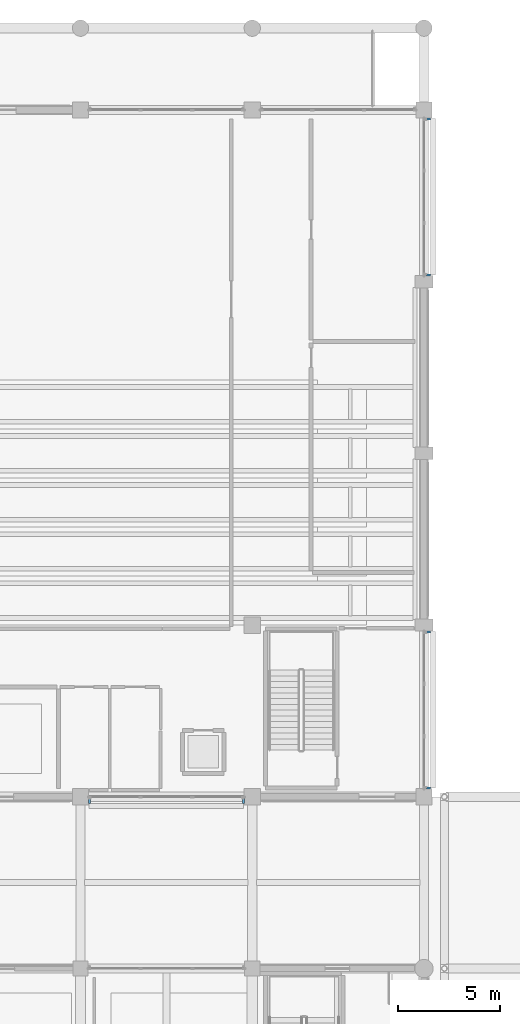
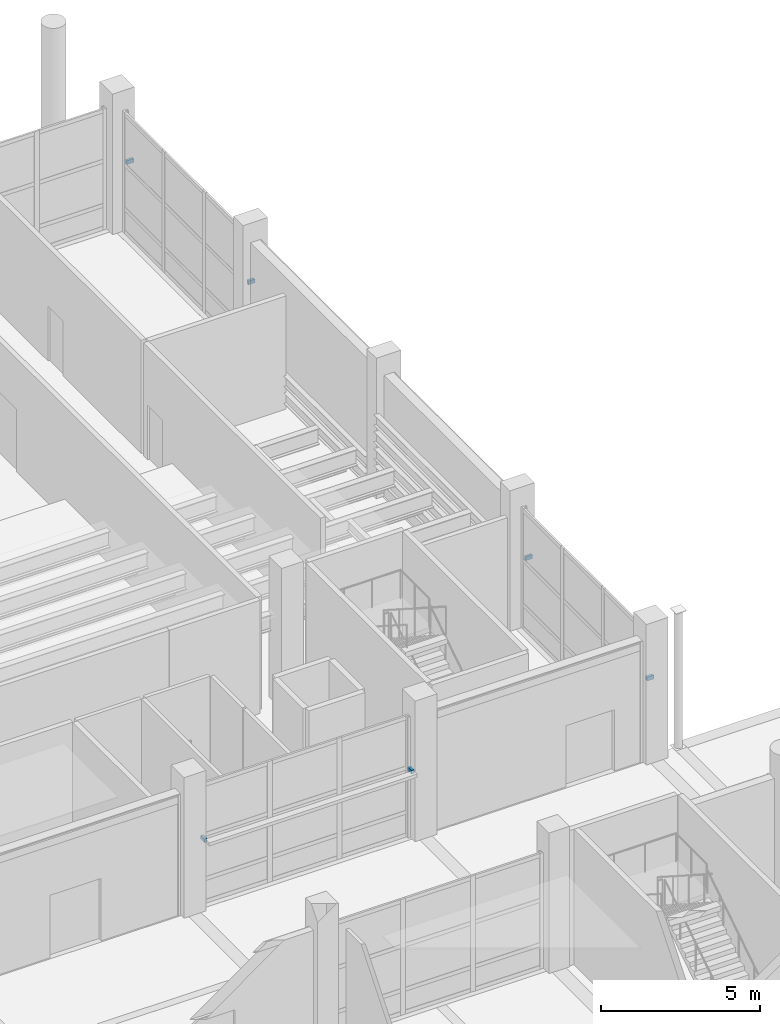
# One storey, part 90 of 140: 6 discrete accessories.
"""IFC4 building model written with IfcOpenShell, lengths in metres."""

from ifc_helpers import new_model, si_unit, direction, frame, origin, origin_2d, place, context, subcontext, project, spatial, rectangle, extrude, material, type_object, element, save


model = new_model("IFC4")

# Units and contexts
model_context = context("Model", 3, precision=1e-05, world=origin(), true_north=direction((0.0, 1.0)))
body_context = subcontext(model_context, "Body", "Model", "MODEL_VIEW")
ifc_project = project(units=[si_unit("LENGTHUNIT", "METRE"), si_unit("AREAUNIT", "SQUARE_METRE"), si_unit("VOLUMEUNIT", "CUBIC_METRE"), si_unit("PLANEANGLEUNIT", "RADIAN"), si_unit("MASSUNIT", "GRAM", prefix="KILO")], contexts=[model_context])

# Site, building, storey
site_placement = place(None, origin())
site = spatial("IfcSite", under=ifc_project, at=site_placement, CompositionType="ELEMENT")
building_placement = place(site_placement, origin())
building = spatial("IfcBuilding", under=site, at=building_placement, Name="Telukmera Botanical Conservatory", CompositionType="ELEMENT")
storey_placement = place(building_placement, origin())
storey = spatial("IfcBuildingStorey", under=building, at=storey_placement, Name="L00", CompositionType="ELEMENT", Elevation=0.0)

# Discrete accessories
ifc_material = material(Name="Steel S355", Category="steel")
discrete_accessory_type = type_object("IfcDiscreteAccessoryType", Name="Structural Steel Facade Outrigger Fin Bracket", PredefinedType="BRACKET", material=ifc_material)
for number, where, z_axis, x_axis, name in (
    (1, (25.636962890625, 82.989990234375, 2.580078125), (0.0, 0.0, 1.0), (1.0, 0.0, 0.0), "Facade Outrigger Bracket V2:L00:S3 A"),
    (2, (33.1630859375, 82.989990234375, 2.580078125), (0.0, 0.0, 1.0), (1.0, 0.0, 0.0), "Facade Outrigger Bracket V2:L00:S3 B"),
    (3, (42.2099609375, 83.636962890625, 2.580078125), (0.0, 0.0, 1.0), (0.0, 1.0, 0.0), "Facade Outrigger Bracket V2:L00:E1 A"),
    (4, (42.2099609375, 91.262939453125, 2.580078125), (0.0, 0.0, 1.0), (0.0, 1.0, 0.0), "Facade Outrigger Bracket V2:L00:E1 B"),
    (5, (42.2099609375, 108.737060546875, 2.580078125), (0.0, 0.0, 1.0), (0.0, 1.0, 0.0), "Facade Outrigger Bracket V2:L00:E4 A"),
    (6, (42.2099609375, 116.363037109375, 2.580078125), (0.0, 0.0, 1.0), (0.0, 1.0, 0.0), "Facade Outrigger Bracket V2:L00:E4 B"),
):
    element("IfcDiscreteAccessory", number, at=place(storey_placement, frame(where, z_axis=z_axis, x_axis=x_axis)), inside=storey, type_object=discrete_accessory_type, Name=name, PredefinedType="BRACKET", context=body_context, shape_type="SweptSolid", body=[
        extrude(rectangle(XDim=0.10009765625, YDim=0.239990234375, at=origin_2d()), origin(), (0.0, 0.0, 1.0), 0.139892578125),
    ])

save(model, "model.ifc")
